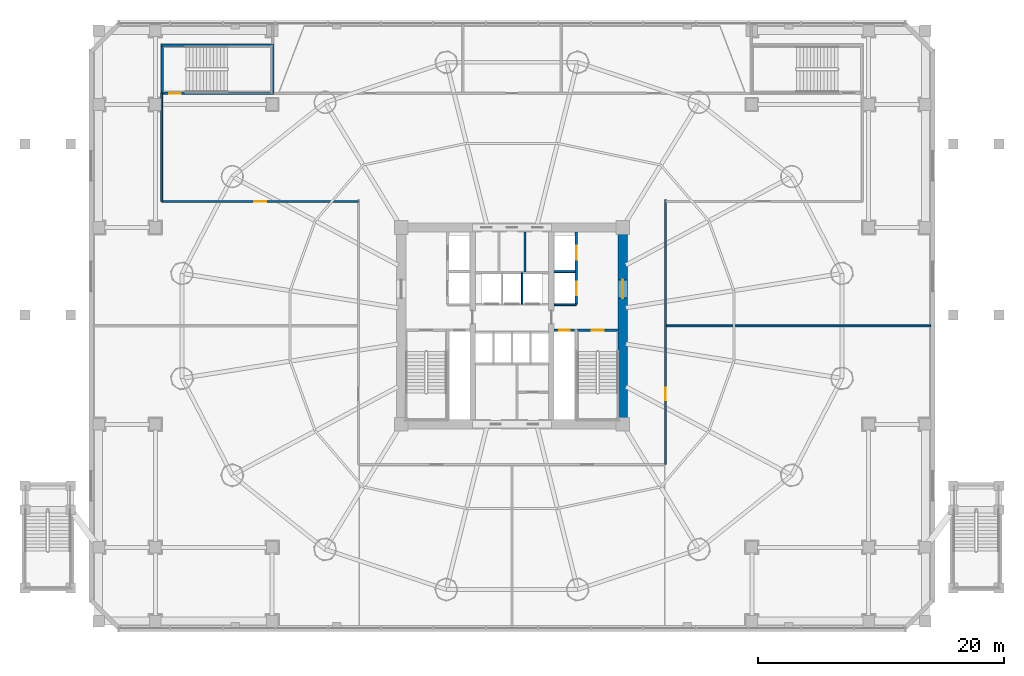
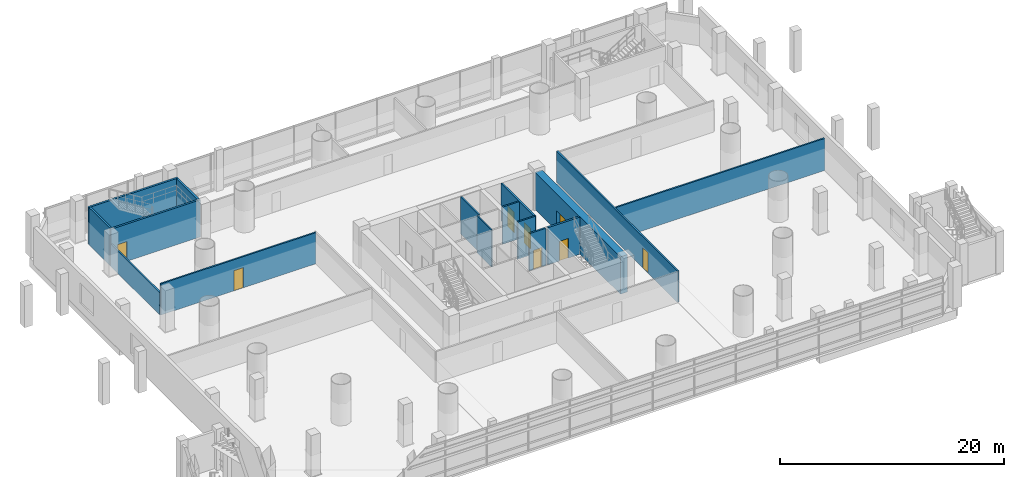
# One storey, part 22 of 36: 16 walls, 8 doors, 8 openings.
"""IFC4 building model written with IfcOpenShell, lengths in metres."""

from ifc_helpers import new_model, si_unit, direction, frame, frame_2d, origin, place, context, subcontext, project, spatial, rectangle, extrude, source, transform, mapped, material, layer, layer_set, type_object, element, fill, save


model = new_model("IFC4")

# Units and contexts
model_context = context("Model", 3, precision=1e-05, world=origin(), true_north=direction((-0.2419218956, 0.970295726276)))
body_context = subcontext(model_context, "Body", "Model", "MODEL_VIEW")
ifc_project = project(units=[si_unit("LENGTHUNIT", "METRE"), si_unit("AREAUNIT", "SQUARE_METRE"), si_unit("VOLUMEUNIT", "CUBIC_METRE"), si_unit("PLANEANGLEUNIT", "RADIAN"), si_unit("MASSUNIT", "GRAM", prefix="KILO")], contexts=[model_context])

# Site, building, storey
site_placement = place(None, origin())
site = spatial("IfcSite", under=ifc_project, at=site_placement, CompositionType="ELEMENT")
building_placement = place(site_placement, origin())
building = spatial("IfcBuilding", under=site, at=building_placement, Name="Cobrevalo Terracotta Tower", CompositionType="ELEMENT")
storey_placement = place(building_placement, frame((0.0, 0.0, 14.39990234375)))
storey = spatial("IfcBuildingStorey", under=building, at=storey_placement, Name="L03", CompositionType="ELEMENT", Elevation=14.39990234375)

# Wall, opening, door
ifc_material_1 = material(Name="Concrete C60", Category="concrete")
ifc_layer_1 = layer(ifc_material_1, 0.75)
ifc_layer_set_1 = layer_set([ifc_layer_1], Name="Concrete C60")
wall_type_1 = type_object("IfcWallType", Name="Core shear wall 750 mm Concrete C60", PredefinedType="SHEAR", material=ifc_layer_set_1)
wall_1_placement = place(storey_placement, frame((47.0, 19.175048828125, 0.0), z_axis=(0.0, 0.0, 1.0), x_axis=(0.0, 1.0, 0.0)))
wall_1 = element("IfcWall", 1, at=wall_1_placement, inside=storey, type_object=wall_type_1, Name="L03 east core shear wall", PredefinedType="SHEAR", context=body_context, shape_type="SweptSolid", body=[
    extrude(rectangle(XDim=15.25, YDim=0.75, at=frame_2d((7.625, 0.0))), origin(), (0.0, 0.0, 1.0), 4.050048828125),
])
opening_1_placement = place(wall_1_placement, frame((9.875, 0.0, 0.0)))
opening_1 = element("IfcOpeningElement", 2, at=opening_1_placement, cuts=wall_1, Name="Opening ID-14", PredefinedType="OPENING", context=body_context, shape_type="SweptSolid", body=[
    extrude(rectangle(XDim=1.5, YDim=2.199951171875, at=frame_2d((0.75, 1.10009765625))), frame((0.0, 0.385009765625, 0.0), z_axis=(0.0, -1.0, 0.0), x_axis=(1.0, 0.0, 0.0)), (0.0, 0.0, 1.0), 0.77001953125),
])
ifc_material_2 = material(Name="Galvanized fire-rated steel", Category="steel")
door_type_1 = type_object("IfcDoorType", Name="Core cross-lobby double fire door 1500x2200 EI 90", OperationType="NOTDEFINED", PredefinedType="DOOR", material=ifc_material_2)
shared_shape_1 = source(origin(), body_context, "Body", "SweptSolid", [
    extrude(rectangle(XDim=1.5, YDim=2.199951171875, at=frame_2d((0.75, 1.10009765625))), frame((0.0, 0.02490234375, 0.0), z_axis=(0.0, -1.0, 0.0), x_axis=(1.0, 0.0, 0.0)), (0.0, 0.0, 1.0), 0.050048828125),
])
door_1_placement = place(opening_1_placement, frame((1.5, 0.0, 0.0), z_axis=(0.0, 0.0, 1.0), x_axis=(-1.0, 0.0, 0.0)))
door_1 = element("IfcDoor", 3, at=door_1_placement, inside=storey, type_object=door_type_1, Name="L03 east firefighting lobby entrance door", OperationType="DOUBLE_DOOR_SINGLE_SWING", OverallHeight=2.199951171875, OverallWidth=1.5, PredefinedType="DOOR", context=body_context, shape_type="MappedRepresentation", body=[
    mapped(shared_shape_1, transform((0.0, 0.0, 0.0), scale=1.0)),
])
fill(opening_1, door_1)

# Walls
ifc_material_3 = material(Name="Gypsum board on steel stud", Category="steel")
ifc_layer_2 = layer(ifc_material_3, 0.159912109375)
ifc_layer_set_2 = layer_set([ifc_layer_2], Name="Gypsum board on steel stud")
wall_type_2 = type_object("IfcWallType", Name="Fire-rated corridor acoustic partition wall 160 mm", PredefinedType="PARTITIONING", material=ifc_layer_set_2)
wall_2_placement = place(storey_placement, frame((41.425048828125, 31.219970703125, 0.0), z_axis=(0.0, 0.0, 1.0), x_axis=(1.0, 0.0, 0.0)))
element("IfcWall", 4, at=wall_2_placement, inside=storey, type_object=wall_type_2, Name="L03 interior partition IW-L03-FF2-M", PredefinedType="PARTITIONING", context=body_context, shape_type="SweptSolid", body=[
    extrude(rectangle(XDim=1.71484375, YDim=0.159912109375, at=frame_2d((0.857421875, 0.0))), origin(), (0.0, 0.0, 1.0), 4.050048828125),
])
wall_3_placement = place(storey_placement, frame((41.425048828125, 28.52001953125, 0.0), z_axis=(0.0, 0.0, 1.0), x_axis=(1.0, 0.0, 0.0)))
element("IfcWall", 5, at=wall_3_placement, inside=storey, type_object=wall_type_2, Name="L03 interior partition IW-L03-FF2-S", PredefinedType="PARTITIONING", context=body_context, shape_type="SweptSolid", body=[
    extrude(rectangle(XDim=1.804931640625, YDim=0.159912109375, at=frame_2d((0.90234375, 0.0))), origin(), (0.0, 0.0, 1.0), 4.050048828125),
])

# Wall, opening, door
wall_4_placement = place(storey_placement, frame((50.47998046875, 15.52001953125, 0.0), z_axis=(0.0, 0.0, 1.0), x_axis=(0.0, 1.0, 0.0)))
wall_4 = element("IfcWall", 6, at=wall_4_placement, inside=storey, type_object=wall_type_2, Name="L03 interior partition IW-L03-PC-E", PredefinedType="PARTITIONING", context=body_context, shape_type="SweptSolid", body=[
    extrude(rectangle(XDim=21.56005859375, YDim=0.159912109375, at=frame_2d((10.780029296875, 0.0))), origin(), (0.0, 0.0, 1.0), 3.400146484375),
])
opening_2_placement = place(wall_4_placement, frame((5.25439453125, 0.0, 0.0)))
opening_2 = element("IfcOpeningElement", 7, at=opening_2_placement, cuts=wall_4, Name="Opening ID-05", PredefinedType="OPENING", context=body_context, shape_type="SweptSolid", body=[
    extrude(rectangle(XDim=0.97998046875, YDim=2.199951171875, at=frame_2d((0.489990234375, 1.10009765625))), frame((0.0, 0.08984375, 0.0), z_axis=(0.0, -1.0, 0.0), x_axis=(1.0, 0.0, 0.0)), (0.0, 0.0, 1.0), 0.179931640625),
])
ifc_material_4 = material(Name="Solid hardwood timber", Category="wood")
door_type_2 = type_object("IfcDoorType", Name="Residence entrance fire-rated acoustic timber door 980x2200 EI 60", OperationType="NOTDEFINED", PredefinedType="DOOR", material=ifc_material_4)
shared_shape_2 = source(origin(), body_context, "Body", "SweptSolid", [
    extrude(rectangle(XDim=0.97998046875, YDim=2.199951171875, at=frame_2d((0.489990234375, 1.10009765625))), frame((0.0, 0.02490234375, 0.0), z_axis=(0.0, -1.0, 0.0), x_axis=(1.0, 0.0, 0.0)), (0.0, 0.0, 1.0), 0.050048828125),
])
door_2_placement = place(opening_2_placement, frame((0.97998046875, 0.0, 0.0), z_axis=(0.0, 0.0, 1.0), x_axis=(-1.0, 0.0, 0.0)))
door_2 = element("IfcDoor", 8, at=door_2_placement, inside=storey, type_object=door_type_2, Name="L03 Movement Pilates Studio door", OperationType="SINGLE_SWING_LEFT", OverallHeight=2.199951171875, OverallWidth=0.97998046875, PredefinedType="DOOR", context=body_context, shape_type="MappedRepresentation", body=[
    mapped(shared_shape_2, transform((0.0, 0.0, 0.0), scale=1.0)),
])
fill(opening_2, door_2)

wall_5_placement = place(storey_placement, frame((9.52001953125, 36.919921875, 0.0), z_axis=(0.0, 0.0, 1.0), x_axis=(1.0, 0.0, 0.0)))
wall_5 = element("IfcWall", 9, at=wall_5_placement, inside=storey, type_object=wall_type_2, Name="L03 interior partition IW-L03-PC-SW", PredefinedType="PARTITIONING", context=body_context, shape_type="SweptSolid", body=[
    extrude(rectangle(XDim=16.0, YDim=0.159912109375, at=frame_2d((8.0, 0.0))), origin(), (0.0, 0.0, 1.0), 3.400146484375),
])
opening_3_placement = place(wall_5_placement, frame((7.510009765625, 0.0, 0.0)))
opening_3 = element("IfcOpeningElement", 10, at=opening_3_placement, cuts=wall_5, Name="Opening ID-05", PredefinedType="OPENING", context=body_context, shape_type="SweptSolid", body=[
    extrude(rectangle(XDim=0.97998046875, YDim=2.199951171875, at=frame_2d((0.489990234375, 1.10009765625))), frame((0.0, 0.08984375, 0.0), z_axis=(0.0, -1.0, 0.0), x_axis=(1.0, 0.0, 0.0)), (0.0, 0.0, 1.0), 0.179931640625),
])
door_3_placement = place(opening_3_placement, frame((0.97998046875, 0.0, 0.0), z_axis=(0.0, 0.0, 1.0), x_axis=(-1.0, 0.0, 0.0)))
door_3 = element("IfcDoor", 11, at=door_3_placement, inside=storey, type_object=door_type_2, Name="L03 Indoor Lap Pool Hall door", OperationType="SINGLE_SWING_RIGHT", OverallHeight=2.199951171875, OverallWidth=0.97998046875, PredefinedType="DOOR", context=body_context, shape_type="MappedRepresentation", body=[
    mapped(shared_shape_2, transform((0.0, 0.0, 0.0), scale=1.0)),
])
fill(opening_3, door_3)

# Walls
wall_6_placement = place(storey_placement, frame((9.52001953125, 36.919921875, 0.0), z_axis=(0.0, 0.0, 1.0), x_axis=(0.0, 1.0, 0.0)))
element("IfcWall", 12, at=wall_6_placement, inside=storey, type_object=wall_type_2, Name="L03 interior partition IW-L03-PC-NW", PredefinedType="PARTITIONING", context=body_context, shape_type="SweptSolid", body=[
    extrude(rectangle(XDim=8.780029296875, YDim=0.159912109375, at=frame_2d((4.39013671875, 0.0))), origin(), (0.0, 0.0, 1.0), 2.43505859375),
])
wall_7_placement = place(storey_placement, frame((50.56201171875, 26.800048828125, 0.0), z_axis=(0.0, 0.0, 1.0), x_axis=(1.0, 0.0, 0.0)))
element("IfcWall", 13, at=wall_7_placement, inside=storey, type_object=wall_type_2, Name="L03 interior partition IW-L03-PE-M", PredefinedType="PARTITIONING", context=body_context, shape_type="SweptSolid", body=[
    extrude(rectangle(XDim=21.47802734375, YDim=0.159912109375, at=frame_2d((10.739013671875, 0.0))), origin(), (0.0, 0.0, 1.0), 3.4921875),
])

# Wall, opening, door
ifc_layer_3 = layer(ifc_material_3, 0.179931640625)
ifc_layer_set_3 = layer_set([ifc_layer_3], Name="Gypsum board on steel stud")
wall_type_3 = type_object("IfcWallType", Name="Fire-rated shaft & lobby acoustic partition wall 180 mm", PredefinedType="PARTITIONING", material=ifc_layer_set_3)
wall_8_placement = place(storey_placement, frame((41.425048828125, 26.449951171875, 0.0), z_axis=(0.0, 0.0, 1.0), x_axis=(1.0, 0.0, 0.0)))
wall_8 = element("IfcWall", 14, at=wall_8_placement, inside=storey, type_object=wall_type_3, Name="L03 interior partition IW-L03-RSE-N", PredefinedType="PARTITIONING", context=body_context, shape_type="SweptSolid", body=[
    extrude(rectangle(XDim=1.675048828125, YDim=0.179931640625, at=frame_2d((0.83740234375, 0.0))), origin(), (0.0, 0.0, 1.0), 4.050048828125),
])
opening_4_placement = place(wall_8_placement, frame((0.41259765625, 0.0, 0.0)))
opening_4 = element("IfcOpeningElement", 15, at=opening_4_placement, cuts=wall_8, Name="Opening ID-22", PredefinedType="OPENING", context=body_context, shape_type="SweptSolid", body=[
    extrude(rectangle(XDim=0.85009765625, YDim=2.10009765625, at=frame_2d((0.425048828125, 1.050048828125))), frame((0.0, 0.10009765625, 0.0), z_axis=(0.0, -1.0, 0.0), x_axis=(1.0, 0.0, 0.0)), (0.0, 0.0, 1.0), 0.199951171875),
])
ifc_material_5 = material(Name="Powder-coated steel", Category="steel")
door_type_3 = type_object("IfcDoorType", Name="Riser shaft & meter closet fire access door 850x2100 EI 60", OperationType="NOTDEFINED", PredefinedType="DOOR", material=ifc_material_5)
shared_shape_3 = source(origin(), body_context, "Body", "SweptSolid", [
    extrude(rectangle(XDim=0.85009765625, YDim=2.10009765625, at=frame_2d((0.425048828125, 1.050048828125))), frame((0.0, 0.02490234375, 0.0), z_axis=(0.0, -1.0, 0.0), x_axis=(1.0, 0.0, 0.0)), (0.0, 0.0, 1.0), 0.050048828125),
])
door_4_placement = place(opening_4_placement, origin())
door_4 = element("IfcDoor", 16, at=door_4_placement, inside=storey, type_object=door_type_3, Name="L03 riser access door RSE", OperationType="SINGLE_SWING_RIGHT", OverallHeight=2.10009765625, OverallWidth=0.85009765625, PredefinedType="DOOR", context=body_context, shape_type="MappedRepresentation", body=[
    mapped(shared_shape_3, transform((0.0, 0.0, 0.0), scale=1.0)),
])
fill(opening_4, door_4)

# Wall, openings, doors
wall_9_placement = place(storey_placement, frame((43.22998046875, 28.52001953125, 0.0), z_axis=(0.0, 0.0, 1.0), x_axis=(0.0, 1.0, 0.0)))
wall_9 = element("IfcWall", 17, at=wall_9_placement, inside=storey, type_object=wall_type_3, Name="L03 interior partition IW-L03-FF2-E", PredefinedType="PARTITIONING", context=body_context, shape_type="SweptSolid", body=[
    extrude(rectangle(XDim=5.905029296875, YDim=0.179931640625, at=frame_2d((2.95263671875, 0.0))), origin(), (0.0, 0.0, 1.0), 4.050048828125),
])
opening_5_placement = place(wall_9_placement, frame((3.655029296875, 0.0, 0.0)))
opening_5 = element("IfcOpeningElement", 18, at=opening_5_placement, cuts=wall_9, Name="Opening LD-02", PredefinedType="OPENING", context=body_context, shape_type="SweptSolid", body=[
    extrude(rectangle(XDim=1.14990234375, YDim=2.199951171875, at=frame_2d((0.574951171875, 1.10009765625))), frame((0.0, 0.10009765625, 0.0), z_axis=(0.0, -1.0, 0.0), x_axis=(1.0, 0.0, 0.0)), (0.0, 0.0, 1.0), 0.199951171875),
])
opening_6_placement = place(wall_9_placement, frame((0.780029296875, 0.0, 0.0)))
opening_6 = element("IfcOpeningElement", 19, at=opening_6_placement, cuts=wall_9, Name="Opening LD-01", PredefinedType="OPENING", context=body_context, shape_type="SweptSolid", body=[
    extrude(rectangle(XDim=1.10009765625, YDim=2.199951171875, at=frame_2d((0.550048828125, 1.10009765625))), frame((0.0, 0.10009765625, 0.0), z_axis=(0.0, -1.0, 0.0), x_axis=(1.0, 0.0, 0.0)), (0.0, 0.0, 1.0), 0.199951171875),
])
ifc_material_6 = material(Name="Brushed stainless steel", Category="steel")
door_type_4 = type_object("IfcDoorType", Name="Firefighting lift landing bi-parting sliding door 1150x2200 EI 120", OperationType="DOUBLE_DOOR_SLIDING", PredefinedType="DOOR", material=ifc_material_6)
shared_shape_4 = source(origin(), body_context, "Body", "SweptSolid", [
    extrude(rectangle(XDim=1.14990234375, YDim=2.199951171875, at=frame_2d((0.574951171875, 1.10009765625))), frame((0.0, 0.02490234375, 0.0), z_axis=(0.0, -1.0, 0.0), x_axis=(1.0, 0.0, 0.0)), (0.0, 0.0, 1.0), 0.050048828125),
])
door_5_placement = place(opening_5_placement, origin())
door_5 = element("IfcDoor", 20, at=door_5_placement, inside=storey, type_object=door_type_4, Name="L03 lift landing door FF-2", OperationType="DOUBLE_DOOR_SLIDING", OverallHeight=2.199951171875, OverallWidth=1.14990234375, PredefinedType="DOOR", context=body_context, shape_type="MappedRepresentation", body=[
    mapped(shared_shape_4, transform((0.0, 0.0, 0.0), scale=1.0)),
])
fill(opening_5, door_5)
door_type_5 = type_object("IfcDoorType", Name="Passenger lift landing bi-parting sliding door 1100x2200 EI 90", OperationType="DOUBLE_DOOR_SLIDING", PredefinedType="DOOR", material=ifc_material_6)
shared_shape_5 = source(origin(), body_context, "Body", "SweptSolid", [
    extrude(rectangle(XDim=1.10009765625, YDim=2.199951171875, at=frame_2d((0.550048828125, 1.10009765625))), frame((0.0, 0.02490234375, 0.0), z_axis=(0.0, -1.0, 0.0), x_axis=(1.0, 0.0, 0.0)), (0.0, 0.0, 1.0), 0.050048828125),
])
door_6_placement = place(opening_6_placement, origin())
door_6 = element("IfcDoor", 21, at=door_6_placement, inside=storey, type_object=door_type_5, Name="L03 lift landing door PL-P1", OperationType="DOUBLE_DOOR_SLIDING", OverallHeight=2.199951171875, OverallWidth=1.10009765625, PredefinedType="DOOR", context=body_context, shape_type="MappedRepresentation", body=[
    mapped(shared_shape_5, transform((0.0, 0.0, 0.0), scale=1.0)),
])
fill(opening_6, door_6)

# Walls
ifc_material_7 = material(Name="Autoclaved aerated concrete block", Category="concrete")
ifc_layer_4 = layer(ifc_material_7, 0.1201171875)
ifc_layer_set_4 = layer_set([ifc_layer_4], Name="Autoclaved aerated concrete block")
wall_type_4 = type_object("IfcWallType", Name="Fire-rated wet-room & core service partition 120 mm", PredefinedType="PARTITIONING", material=ifc_layer_set_4)
wall_10_placement = place(storey_placement, frame((38.830078125, 28.56005859375, 0.0), z_axis=(0.0, 0.0, 1.0), x_axis=(0.0, 1.0, 0.0)))
element("IfcWall", 22, at=wall_10_placement, inside=storey, type_object=wall_type_4, Name="L03 interior partition IW-L03-LB-D2", PredefinedType="PARTITIONING", context=body_context, shape_type="SweptSolid", body=[
    extrude(rectangle(XDim=2.56005859375, YDim=0.1201171875, at=frame_2d((1.280029296875, 0.0))), origin(), (0.0, 0.0, 1.0), 4.050048828125),
])
ifc_layer_5 = layer(ifc_material_7, 0.139892578125)
ifc_layer_set_5 = layer_set([ifc_layer_5], Name="Autoclaved aerated concrete block")
wall_type_5 = type_object("IfcWallType", Name="Moisture-resistant wet-room & core service partition 140 mm", PredefinedType="PARTITIONING", material=ifc_layer_set_5)
wall_11_placement = place(storey_placement, frame((39.050048828125, 31.199951171875, 0.0), z_axis=(0.0, 0.0, 1.0), x_axis=(0.0, 1.0, 0.0)))
element("IfcWall", 23, at=wall_11_placement, inside=storey, type_object=wall_type_5, Name="L03 interior partition IW-L03-KVN-B", PredefinedType="PARTITIONING", context=body_context, shape_type="SweptSolid", body=[
    extrude(rectangle(XDim=3.22509765625, YDim=0.139892578125, at=frame_2d((1.612548828125, 0.0))), origin(), (0.0, 0.0, 1.0), 4.050048828125),
])

# Wall, opening, door
ifc_material_8 = material(Name="Concrete C50", Category="concrete")
ifc_layer_6 = layer(ifc_material_8, 0.199951171875)
ifc_layer_set_6 = layer_set([ifc_layer_6], Name="Concrete C50")
wall_type_6 = type_object("IfcWallType", Name="Structural core & podium stair-shaft RC wall 200 mm Concrete C50", PredefinedType="SOLIDWALL", material=ifc_layer_set_6)
wall_12_placement = place(storey_placement, frame((43.304931640625, 26.449951171875, 0.0), z_axis=(0.0, 0.0, 1.0), x_axis=(1.0, 0.0, 0.0)))
wall_12 = element("IfcWall", 24, at=wall_12_placement, inside=storey, type_object=wall_type_6, Name="L03 ST-2 north structural shaft wall", PredefinedType="SOLIDWALL", context=body_context, shape_type="SweptSolid", body=[
    extrude(rectangle(XDim=3.320068359375, YDim=0.199951171875, at=frame_2d((1.66015625, 0.0))), origin(), (0.0, 0.0, 1.0), 4.050048828125),
])
opening_7_placement = place(wall_12_placement, frame((1.18505859375, 0.0, 0.0)))
opening_7 = element("IfcOpeningElement", 25, at=opening_7_placement, cuts=wall_12, Name="Opening ID-04", PredefinedType="OPENING", context=body_context, shape_type="SweptSolid", body=[
    extrude(rectangle(XDim=0.949951171875, YDim=2.14990234375, at=frame_2d((0.47509765625, 1.074951171875))), frame((0.0, 0.10986328125, 0.0), z_axis=(0.0, -1.0, 0.0), x_axis=(1.0, 0.0, 0.0)), (0.0, 0.0, 1.0), 0.219970703125),
])
door_type_6 = type_object("IfcDoorType", Name="Stair & firefighting lobby fire door 950x2150 EI 90", OperationType="NOTDEFINED", PredefinedType="DOOR", material=ifc_material_2)
shared_shape_6 = source(origin(), body_context, "Body", "SweptSolid", [
    extrude(rectangle(XDim=0.949951171875, YDim=2.14990234375, at=frame_2d((0.47509765625, 1.074951171875))), frame((0.0, 0.02490234375, 0.0), z_axis=(0.0, -1.0, 0.0), x_axis=(1.0, 0.0, 0.0)), (0.0, 0.0, 1.0), 0.050048828125),
])
door_7_placement = place(opening_7_placement, frame((0.949951171875, 0.0, 0.0), z_axis=(0.0, 0.0, 1.0), x_axis=(-1.0, 0.0, 0.0)))
door_7 = element("IfcDoor", 26, at=door_7_placement, inside=storey, type_object=door_type_6, Name="L03 protected stair ST2 fire door", OperationType="SINGLE_SWING_RIGHT", OverallHeight=2.14990234375, OverallWidth=0.949951171875, PredefinedType="DOOR", context=body_context, shape_type="MappedRepresentation", body=[
    mapped(shared_shape_6, transform((0.0, 0.0, 0.0), scale=1.0)),
])
fill(opening_7, door_7)

wall_13_placement = place(storey_placement, frame((9.449951171875, 45.699951171875, 0.0), z_axis=(0.0, 0.0, 1.0), x_axis=(1.0, 0.0, 0.0)))
wall_13 = element("IfcWall", 27, at=wall_13_placement, inside=storey, type_object=wall_type_6, Name="L03 STP1 south structural shaft wall", PredefinedType="SOLIDWALL", context=body_context, shape_type="SweptSolid", body=[
    extrude(rectangle(XDim=9.199951171875, YDim=0.199951171875, at=frame_2d((4.60009765625, 0.0))), origin(), (0.0, 0.0, 1.0), 4.050048828125),
])
opening_8_placement = place(wall_13_placement, frame((0.675048828125, 0.0, 0.0)))
opening_8 = element("IfcOpeningElement", 28, at=opening_8_placement, cuts=wall_13, Name="Opening ID-04", PredefinedType="OPENING", context=body_context, shape_type="SweptSolid", body=[
    extrude(rectangle(XDim=0.949951171875, YDim=2.14990234375, at=frame_2d((0.47509765625, 1.074951171875))), frame((0.0, 0.10986328125, 0.0), z_axis=(0.0, -1.0, 0.0), x_axis=(1.0, 0.0, 0.0)), (0.0, 0.0, 1.0), 0.219970703125),
])
door_8_placement = place(opening_8_placement, frame((0.949951171875, 0.0, 0.0), z_axis=(0.0, 0.0, 1.0), x_axis=(-1.0, 0.0, 0.0)))
door_8 = element("IfcDoor", 29, at=door_8_placement, inside=storey, type_object=door_type_6, Name="L03 podium exit stair STP1 fire door", OperationType="SINGLE_SWING_LEFT", OverallHeight=2.14990234375, OverallWidth=0.949951171875, PredefinedType="DOOR", context=body_context, shape_type="MappedRepresentation", body=[
    mapped(shared_shape_6, transform((0.0, 0.0, 0.0), scale=1.0)),
])
fill(opening_8, door_8)

# Walls
wall_14_placement = place(storey_placement, frame((9.449951171875, 49.6201171875, 0.0), z_axis=(0.0, 0.0, 1.0), x_axis=(1.0, 0.0, 0.0)))
element("IfcWall", 30, at=wall_14_placement, inside=storey, type_object=wall_type_6, Name="L03 STP1 north structural shaft wall", PredefinedType="SOLIDWALL", context=body_context, shape_type="SweptSolid", body=[
    extrude(rectangle(XDim=9.199951171875, YDim=0.199951171875, at=frame_2d((4.60009765625, 0.0))), origin(), (0.0, 0.0, 1.0), 4.050048828125),
])
for number, where, z_axis, x_axis, name in (
    (31, (9.550048828125, 45.800048828125, 0.0), (0.0, 0.0, 1.0), (0.0, 1.0, 0.0), "L03 STP1 west structural shaft wall"),
    (32, (18.550048828125, 45.800048828125, 0.0), (0.0, 0.0, 1.0), (0.0, 1.0, 0.0), "L03 STP1 east structural shaft wall"),
):
    element("IfcWall", number, at=place(storey_placement, frame(where, z_axis=z_axis, x_axis=x_axis)), inside=storey, type_object=wall_type_6, Name=name, PredefinedType="SOLIDWALL", context=body_context, shape_type="SweptSolid", body=[
        extrude(rectangle(XDim=3.719970703125, YDim=0.199951171875, at=frame_2d((1.85986328125, 0.0))), origin(), (0.0, 0.0, 1.0), 4.050048828125),
    ])

save(model, "model.ifc")
